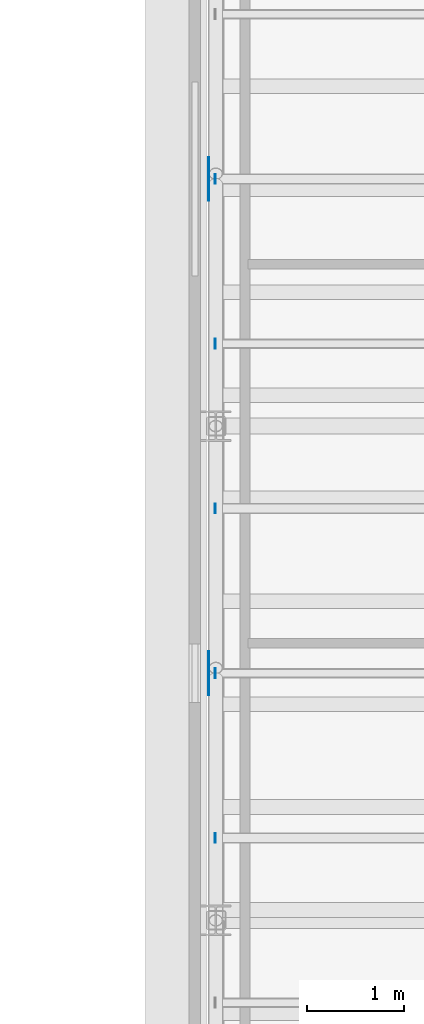
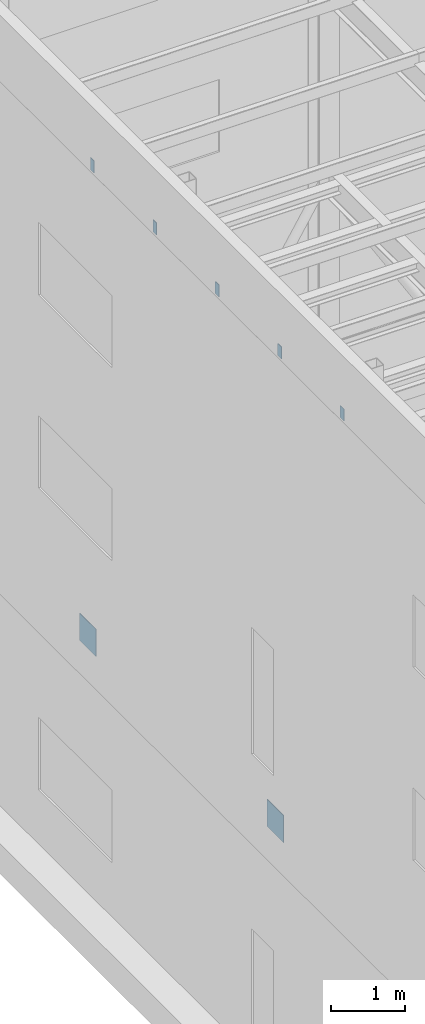
# One storey, part 13 of 22: 7 plates.
"""IFC4 building model written with IfcOpenShell, lengths in metres."""

from ifc_helpers import new_model, si_unit, direction, frame, origin, origin_2d, place, context, subcontext, project, spatial, rectangle, extrude, material, layer, layer_set, type_object, element, save


model = new_model("IFC4")

# Units and contexts
model_context = context("Model", 3, precision=1e-05, world=origin(), true_north=direction((0.0, 1.0)))
body_context = subcontext(model_context, "Body", "Model", "MODEL_VIEW")
ifc_project = project(units=[si_unit("LENGTHUNIT", "METRE"), si_unit("AREAUNIT", "SQUARE_METRE"), si_unit("VOLUMEUNIT", "CUBIC_METRE"), si_unit("PLANEANGLEUNIT", "RADIAN"), si_unit("MASSUNIT", "GRAM", prefix="KILO")], contexts=[model_context])

# Site, building, storey
site_placement = place(None, origin())
site = spatial("IfcSite", under=ifc_project, at=site_placement, CompositionType="ELEMENT")
building_placement = place(site_placement, origin())
building = spatial("IfcBuilding", under=site, at=building_placement, Name="Tide Square Theatres", CompositionType="ELEMENT")
storey_placement = place(building_placement, frame((0.0, 0.0, 24.0)))
storey = spatial("IfcBuildingStorey", under=building, at=storey_placement, Name="L05", CompositionType="ELEMENT", Elevation=24.0)

# Plates
ifc_material = material(Name="Steel ASTM A572 Grade 50", Category="steel")
ifc_layer = layer(ifc_material, 0.010009765625)
ifc_layer_set = layer_set([ifc_layer], Name="Steel ASTM A572 Grade 50")
plate_type = type_object("IfcPlateType", Name="Steel end plate 10 thick", PredefinedType="USERDEFINED", material=ifc_layer_set)
for number, where, z_axis, x_axis, name in (
    (1, (71.27099609375, 72.39306640625, 12.16015625), (0.0, 0.0, 1.0), (-1.0, 0.0, 0.0), "Tower roof purlin end plate"),
    (2, (71.27099609375, 74.089599609375, 12.16015625), (0.0, 0.0, 1.0), (-1.0, 0.0, 0.0), "Tower roof purlin end plate"),
    (3, (71.27099609375, 75.7861328125, 12.16015625), (0.0, 0.0, 1.0), (-1.0, 0.0, 0.0), "Tower roof purlin end plate"),
    (4, (71.27099609375, 77.482666015625, 12.16015625), (0.0, 0.0, 1.0), (-1.0, 0.0, 0.0), "Tower roof purlin end plate"),
    (5, (71.27099609375, 79.17919921875, 12.16015625), (0.0, 0.0, 1.0), (-1.0, 0.0, 0.0), "Tower roof purlin end plate"),
):
    element("IfcPlate", number, at=place(storey_placement, frame(where, z_axis=z_axis, x_axis=x_axis)), inside=storey, type_object=plate_type, Name=name, ObjectType="END PLATE", PredefinedType="USERDEFINED", context=body_context, shape_type="SweptSolid", body=[
        extrude(rectangle(XDim=0.010009765625, YDim=0.10009765625, at=origin_2d()), origin(), (0.0, 0.0, 1.0), 0.199951171875),
    ])
for number, where, z_axis, x_axis, name in (
    (6, (71.202392578125, 74.089599609375, 4.27490234375), (0.0, 0.0, 1.0), (-1.0, 0.0, 0.0), "Fly tower brace crossing node plate"),
    (7, (71.202392578125, 79.17919921875, 4.27490234375), (0.0, 0.0, 1.0), (-1.0, 0.0, 0.0), "Fly tower brace crossing node plate"),
):
    element("IfcPlate", number, at=place(storey_placement, frame(where, z_axis=z_axis, x_axis=x_axis)), inside=storey, type_object=plate_type, Name=name, ObjectType="END PLATE", PredefinedType="USERDEFINED", context=body_context, shape_type="SweptSolid", body=[
        extrude(rectangle(XDim=0.010009765625, YDim=0.449951171875, at=origin_2d()), origin(), (0.0, 0.0, 1.0), 0.449951171875),
    ])

save(model, "model.ifc")
